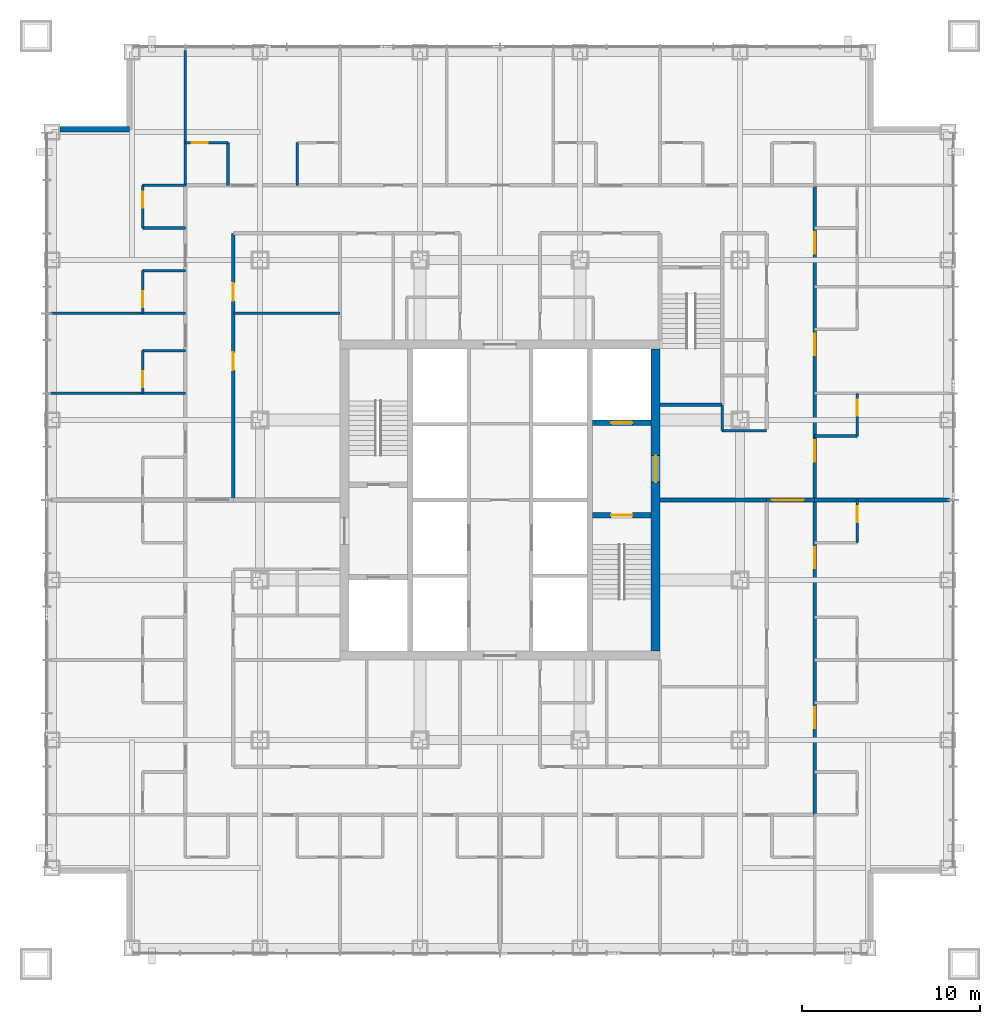
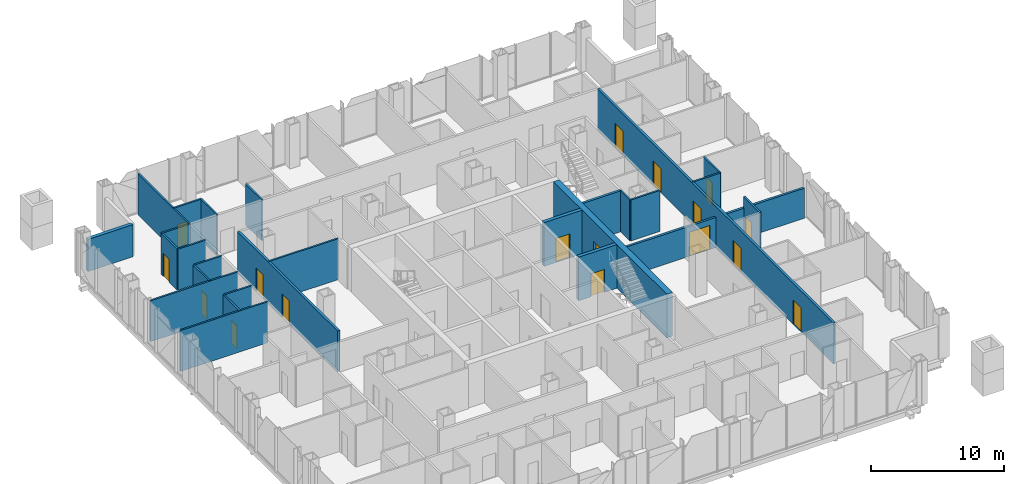
# One storey, part 10 of 23: 29 walls, 17 doors, 17 openings.
"""IFC4 building model written with IfcOpenShell, lengths in metres."""

from ifc_helpers import new_model, si_unit, direction, frame, frame_2d, origin, place, context, subcontext, project, spatial, rectangle, extrude, material, layer, layer_set, type_object, element, fill, save


model = new_model("IFC4")

# Units and contexts
model_context = context("Model", 3, precision=1e-05, world=origin(), true_north=direction((0.0, 1.0)))
body_context = subcontext(model_context, "Body", "Model", "MODEL_VIEW")
ifc_project = project(units=[si_unit("LENGTHUNIT", "METRE"), si_unit("AREAUNIT", "SQUARE_METRE"), si_unit("VOLUMEUNIT", "CUBIC_METRE"), si_unit("PLANEANGLEUNIT", "RADIAN"), si_unit("MASSUNIT", "GRAM", prefix="KILO")], contexts=[model_context])

# Site, building, storey
site_placement = place(None, origin())
site = spatial("IfcSite", under=ifc_project, at=site_placement, CompositionType="ELEMENT")
building_placement = place(site_placement, origin())
building = spatial("IfcBuilding", under=site, at=building_placement, Name="Malebo Sky Hospital", CompositionType="ELEMENT")
storey_placement = place(building_placement, frame((0.0, 0.0, 91.0)))
storey = spatial("IfcBuildingStorey", under=building, at=storey_placement, Name="L21", CompositionType="ELEMENT", Elevation=91.0)

# Wall, opening, door
ifc_material_1 = material(Name="Concrete C80/95", Category="concrete")
ifc_layer_1 = layer(ifc_material_1, 0.300048828125)
ifc_layer_set_1 = layer_set([ifc_layer_1], Name="CORE INNER WALL 300")
wall_type_1 = type_object("IfcWallType", Name="CORE INNER WALL 300", PredefinedType="SHEAR", material=ifc_layer_set_1)
wall_1_placement = place(storey_placement, frame((65.199951171875, 61.14990234375, 0.0), z_axis=(0.0, 0.0, 1.0), x_axis=(1.0, 0.0, 0.0)))
wall_1 = element("IfcWall", 1, at=wall_1_placement, inside=storey, type_object=wall_type_1, Name="Core wall E1 L21", PredefinedType="SHEAR", context=body_context, shape_type="SweptSolid", body=[
    extrude(rectangle(XDim=3.300048828125, YDim=0.300048828125, at=frame_2d((1.64990234375, 0.0))), origin(), (0.0, 0.0, 1.0), 4.0),
])
opening_1_placement = place(wall_1_placement, frame((1.050048828125, 0.0, 0.0)))
opening_1 = element("IfcOpeningElement", 2, at=opening_1_placement, cuts=wall_1, Name="Opening D08", PredefinedType="OPENING", context=body_context, shape_type="SweptSolid", body=[
    extrude(rectangle(XDim=1.199951171875, YDim=2.10009765625, at=frame_2d((0.60009765625, 1.050048828125))), frame((0.0, 0.159912109375, 0.0), z_axis=(0.0, -1.0, 0.0), x_axis=(1.0, 0.0, 0.0)), (0.0, 0.0, 1.0), 0.320068359375),
])
ifc_material_2 = material(Name="Hardwood-faced door leaf in steel frame", Category="steel")
door_type_1 = type_object("IfcDoorType", Name="STAIR DOOR 1200", OperationType="SINGLE_SWING_LEFT", PredefinedType="DOOR", material=ifc_material_2)
door_1_placement = place(opening_1_placement, origin())
door_1 = element("IfcDoor", 3, at=door_1_placement, inside=storey, type_object=door_type_1, Name="Stair S2 door", OperationType="SINGLE_SWING_LEFT", OverallHeight=2.10009765625, OverallWidth=1.199951171875, PredefinedType="DOOR", context=body_context, shape_type="SweptSolid", body=[
    extrude(rectangle(XDim=1.199951171875, YDim=2.10009765625, at=frame_2d((0.60009765625, 1.050048828125))), frame((0.0, 0.02490234375, 0.0), z_axis=(0.0, -1.0, 0.0), x_axis=(1.0, 0.0, 0.0)), (0.0, 0.0, 1.0), 0.050048828125),
])
fill(opening_1, door_1)

wall_2_placement = place(storey_placement, frame((65.199951171875, 66.35009765625, 0.0), z_axis=(0.0, 0.0, 1.0), x_axis=(1.0, 0.0, 0.0)))
wall_2 = element("IfcWall", 4, at=wall_2_placement, inside=storey, type_object=wall_type_1, Name="Core wall E2 L21", PredefinedType="SHEAR", context=body_context, shape_type="SweptSolid", body=[
    extrude(rectangle(XDim=3.300048828125, YDim=0.300048828125, at=frame_2d((1.64990234375, 0.0))), origin(), (0.0, 0.0, 1.0), 4.0),
])
opening_2_placement = place(wall_2_placement, frame((1.050048828125, 0.0, 0.0)))
opening_2 = element("IfcOpeningElement", 5, at=opening_2_placement, cuts=wall_2, Name="Opening LD2", PredefinedType="OPENING", context=body_context, shape_type="SweptSolid", body=[
    extrude(rectangle(XDim=1.199951171875, YDim=2.199951171875, at=frame_2d((0.60009765625, 1.10009765625))), frame((0.0, 0.159912109375, 0.0), z_axis=(0.0, -1.0, 0.0), x_axis=(1.0, 0.0, 0.0)), (0.0, 0.0, 1.0), 0.320068359375),
])
ifc_material_3 = material(Name="Stainless steel sliding landing door", Category="steel")
door_type_2 = type_object("IfcDoorType", Name="FIRE-FIGHTING LIFT LANDING DOOR 1200", OperationType="SLIDING_TO_LEFT", PredefinedType="DOOR", material=ifc_material_3)
door_2_placement = place(opening_2_placement, origin())
door_2 = element("IfcDoor", 6, at=door_2_placement, inside=storey, type_object=door_type_2, Name="Lift FL2 landing door", OperationType="SLIDING_TO_LEFT", OverallHeight=2.199951171875, OverallWidth=1.199951171875, PredefinedType="DOOR", context=body_context, shape_type="SweptSolid", body=[
    extrude(rectangle(XDim=1.199951171875, YDim=2.199951171875, at=frame_2d((0.60009765625, 1.10009765625))), frame((0.0, 0.02490234375, 0.0), z_axis=(0.0, -1.0, 0.0), x_axis=(1.0, 0.0, 0.0)), (0.0, 0.0, 1.0), 0.050048828125),
])
fill(opening_2, door_2)

ifc_layer_2 = layer(ifc_material_1, 0.5)
ifc_layer_set_2 = layer_set([ifc_layer_2], Name="CORE WALL 500")
wall_type_2 = type_object("IfcWallType", Name="CORE WALL 500", PredefinedType="SHEAR", material=ifc_layer_set_2)
wall_3_placement = place(storey_placement, frame((68.75, 53.5, 0.0), z_axis=(0.0, 0.0, 1.0), x_axis=(0.0, 1.0, 0.0)))
wall_3 = element("IfcWall", 7, at=wall_3_placement, inside=storey, type_object=wall_type_2, Name="Core wall E L21", PredefinedType="SHEAR", context=body_context, shape_type="SweptSolid", body=[
    extrude(rectangle(XDim=17.0, YDim=0.5, at=frame_2d((8.5, 0.0))), origin(), (0.0, 0.0, 1.0), 4.0),
])
opening_3_placement = place(wall_3_placement, frame((9.5, 0.0, 0.0)))
opening_3 = element("IfcOpeningElement", 8, at=opening_3_placement, cuts=wall_3, Name="Opening D07", PredefinedType="OPENING", context=body_context, shape_type="SweptSolid", body=[
    extrude(rectangle(XDim=1.5, YDim=2.199951171875, at=frame_2d((0.75, 1.10009765625))), frame((0.0, 0.260009765625, 0.0), z_axis=(0.0, -1.0, 0.0), x_axis=(1.0, 0.0, 0.0)), (0.0, 0.0, 1.0), 0.52001953125),
])
door_type_3 = type_object("IfcDoorType", Name="FIRE-FIGHTING LOBBY DOOR PAIR 1500", OperationType="DOUBLE_DOOR_SINGLE_SWING", PredefinedType="DOOR", material=ifc_material_2)
door_3_placement = place(opening_3_placement, origin())
door_3 = element("IfcDoor", 9, at=door_3_placement, inside=storey, type_object=door_type_3, Name="Fire-fighting lobby door east", OperationType="DOUBLE_DOOR_SINGLE_SWING", OverallHeight=2.199951171875, OverallWidth=1.5, PredefinedType="DOOR", context=body_context, shape_type="SweptSolid", body=[
    extrude(rectangle(XDim=1.5, YDim=2.199951171875, at=frame_2d((0.75, 1.10009765625))), frame((0.0, 0.02490234375, 0.0), z_axis=(0.0, -1.0, 0.0), x_axis=(1.0, 0.0, 0.0)), (0.0, 0.0, 1.0), 0.050048828125),
])
fill(opening_3, door_3)

# Wall, openings, doors
ifc_material_4 = material(Name="Gypsum board on steel studs", Category="steel")
ifc_layer_3 = layer(ifc_material_4, 0.199951171875)
ifc_layer_set_3 = layer_set([ifc_layer_3], Name="CORRIDOR WALL 200")
wall_type_3 = type_object("IfcWallType", Name="CORRIDOR WALL 200", PredefinedType="PARTITIONING", material=ifc_layer_set_3)
wall_4_placement = place(storey_placement, frame((45.0, 62.0, 0.0), z_axis=(0.0, 0.0, 1.0), x_axis=(0.0, 1.0, 0.0)))
wall_4 = element("IfcWall", 10, at=wall_4_placement, inside=storey, type_object=wall_type_3, Name="Corridor Wall 200 WCI2", PredefinedType="PARTITIONING", context=body_context, shape_type="SweptSolid", body=[
    extrude(rectangle(XDim=15.0, YDim=0.199951171875, at=frame_2d((7.5, 0.0))), origin(), (0.0, 0.0, 1.0), 3.75),
])
opening_4_placement = place(wall_4_placement, frame((7.300048828125, 0.0, 0.0)))
opening_4 = element("IfcOpeningElement", 11, at=opening_4_placement, cuts=wall_4, Name="Opening D03", PredefinedType="OPENING", context=body_context, shape_type="SweptSolid", body=[
    extrude(rectangle(XDim=1.0, YDim=2.10009765625, at=frame_2d((0.5, 1.050048828125))), frame((0.0, 0.10986328125, 0.0), z_axis=(0.0, -1.0, 0.0), x_axis=(1.0, 0.0, 0.0)), (0.0, 0.0, 1.0), 0.219970703125),
])
opening_5_placement = place(wall_4_placement, frame((11.199951171875, 0.0, 0.0)))
opening_5 = element("IfcOpeningElement", 12, at=opening_5_placement, cuts=wall_4, Name="Opening D03", PredefinedType="OPENING", context=body_context, shape_type="SweptSolid", body=[
    extrude(rectangle(XDim=1.0, YDim=2.10009765625, at=frame_2d((0.5, 1.050048828125))), frame((0.0, 0.10986328125, 0.0), z_axis=(0.0, -1.0, 0.0), x_axis=(1.0, 0.0, 0.0)), (0.0, 0.0, 1.0), 0.219970703125),
])
door_type_4 = type_object("IfcDoorType", Name="ROOM DOOR 1000", OperationType="SINGLE_SWING_LEFT", PredefinedType="DOOR", material=ifc_material_2)
door_4_placement = place(opening_4_placement, origin())
door_4 = element("IfcDoor", 13, at=door_4_placement, inside=storey, type_object=door_type_4, Name="Nurse station door", OperationType="SINGLE_SWING_RIGHT", OverallHeight=2.10009765625, OverallWidth=1.0, PredefinedType="DOOR", context=body_context, shape_type="SweptSolid", body=[
    extrude(rectangle(XDim=1.0, YDim=2.10009765625, at=frame_2d((0.5, 1.050048828125))), frame((0.0, 0.02490234375, 0.0), z_axis=(0.0, -1.0, 0.0), x_axis=(1.0, 0.0, 0.0)), (0.0, 0.0, 1.0), 0.050048828125),
])
fill(opening_4, door_4)
door_5_placement = place(opening_5_placement, origin())
door_5 = element("IfcDoor", 14, at=door_5_placement, inside=storey, type_object=door_type_4, Name="Interview room door", OperationType="SINGLE_SWING_LEFT", OverallHeight=2.10009765625, OverallWidth=1.0, PredefinedType="DOOR", context=body_context, shape_type="SweptSolid", body=[
    extrude(rectangle(XDim=1.0, YDim=2.10009765625, at=frame_2d((0.5, 1.050048828125))), frame((0.0, 0.02490234375, 0.0), z_axis=(0.0, -1.0, 0.0), x_axis=(1.0, 0.0, 0.0)), (0.0, 0.0, 1.0), 0.050048828125),
])
fill(opening_5, door_5)

wall_5_placement = place(storey_placement, frame((77.699951171875, 79.699951171875, 0.0), z_axis=(0.0, 0.0, 1.0), x_axis=(0.0, -1.0, 0.0)))
wall_5 = element("IfcWall", 15, at=wall_5_placement, inside=storey, type_object=wall_type_3, Name="Corridor Wall 200 ECO", PredefinedType="PARTITIONING", context=body_context, shape_type="SweptSolid", body=[
    extrude(rectangle(XDim=35.39990234375, YDim=0.199951171875, at=frame_2d((17.699951171875, 0.0))), origin(), (0.0, 0.0, 1.0), 3.75),
])
opening_6_placement = place(wall_5_placement, frame((2.64990234375, 0.0, 0.0)))
opening_6 = element("IfcOpeningElement", 16, at=opening_6_placement, cuts=wall_5, Name="Opening D18", PredefinedType="OPENING", context=body_context, shape_type="SweptSolid", body=[
    extrude(rectangle(XDim=1.199951171875, YDim=2.199951171875, at=frame_2d((0.60009765625, 1.10009765625))), frame((0.0, 0.10986328125, 0.0), z_axis=(0.0, -1.0, 0.0), x_axis=(1.0, 0.0, 0.0)), (0.0, 0.0, 1.0), 0.219970703125),
])
opening_7_placement = place(wall_5_placement, frame((8.35009765625, 0.0, 0.0)))
opening_7 = element("IfcOpeningElement", 17, at=opening_7_placement, cuts=wall_5, Name="Opening D01", PredefinedType="OPENING", context=body_context, shape_type="SweptSolid", body=[
    extrude(rectangle(XDim=1.199951171875, YDim=2.199951171875, at=frame_2d((0.60009765625, 1.10009765625))), frame((0.0, 0.10986328125, 0.0), z_axis=(0.0, -1.0, 0.0), x_axis=(1.0, 0.0, 0.0)), (0.0, 0.0, 1.0), 0.219970703125),
])
opening_8_placement = place(wall_5_placement, frame((14.35009765625, 0.0, 0.0)))
opening_8 = element("IfcOpeningElement", 18, at=opening_8_placement, cuts=wall_5, Name="Opening D01", PredefinedType="OPENING", context=body_context, shape_type="SweptSolid", body=[
    extrude(rectangle(XDim=1.199951171875, YDim=2.199951171875, at=frame_2d((0.60009765625, 1.10009765625))), frame((0.0, 0.10986328125, 0.0), z_axis=(0.0, -1.0, 0.0), x_axis=(1.0, 0.0, 0.0)), (0.0, 0.0, 1.0), 0.219970703125),
])
opening_9_placement = place(wall_5_placement, frame((20.35009765625, 0.0, 0.0)))
opening_9 = element("IfcOpeningElement", 19, at=opening_9_placement, cuts=wall_5, Name="Opening D01", PredefinedType="OPENING", context=body_context, shape_type="SweptSolid", body=[
    extrude(rectangle(XDim=1.199951171875, YDim=2.199951171875, at=frame_2d((0.60009765625, 1.10009765625))), frame((0.0, 0.10986328125, 0.0), z_axis=(0.0, -1.0, 0.0), x_axis=(1.0, 0.0, 0.0)), (0.0, 0.0, 1.0), 0.219970703125),
])
opening_10_placement = place(wall_5_placement, frame((29.35009765625, 0.0, 0.0)))
opening_10 = element("IfcOpeningElement", 20, at=opening_10_placement, cuts=wall_5, Name="Opening D01", PredefinedType="OPENING", context=body_context, shape_type="SweptSolid", body=[
    extrude(rectangle(XDim=1.199951171875, YDim=2.199951171875, at=frame_2d((0.60009765625, 1.10009765625))), frame((0.0, 0.10986328125, 0.0), z_axis=(0.0, -1.0, 0.0), x_axis=(1.0, 0.0, 0.0)), (0.0, 0.0, 1.0), 0.219970703125),
])
door_type_5 = type_object("IfcDoorType", Name="ANTEROOM DOOR 1200", OperationType="SINGLE_SWING_LEFT", PredefinedType="DOOR", material=ifc_material_2)
door_6_placement = place(opening_6_placement, origin())
door_6 = element("IfcDoor", 21, at=door_6_placement, inside=storey, type_object=door_type_5, Name="Anteroom door", OperationType="SINGLE_SWING_LEFT", OverallHeight=2.199951171875, OverallWidth=1.199951171875, PredefinedType="DOOR", context=body_context, shape_type="SweptSolid", body=[
    extrude(rectangle(XDim=1.199951171875, YDim=2.199951171875, at=frame_2d((0.60009765625, 1.10009765625))), frame((0.0, 0.02490234375, 0.0), z_axis=(0.0, -1.0, 0.0), x_axis=(1.0, 0.0, 0.0)), (0.0, 0.0, 1.0), 0.050048828125),
])
fill(opening_6, door_6)
door_type_6 = type_object("IfcDoorType", Name="BED DOOR 1200", OperationType="SINGLE_SWING_LEFT", PredefinedType="DOOR", material=ifc_material_2)
door_7_placement = place(opening_7_placement, origin())
door_7 = element("IfcDoor", 22, at=door_7_placement, inside=storey, type_object=door_type_6, Name="Single bed room door", OperationType="SINGLE_SWING_LEFT", OverallHeight=2.199951171875, OverallWidth=1.199951171875, PredefinedType="DOOR", context=body_context, shape_type="SweptSolid", body=[
    extrude(rectangle(XDim=1.199951171875, YDim=2.199951171875, at=frame_2d((0.60009765625, 1.10009765625))), frame((0.0, 0.02490234375, 0.0), z_axis=(0.0, -1.0, 0.0), x_axis=(1.0, 0.0, 0.0)), (0.0, 0.0, 1.0), 0.050048828125),
])
fill(opening_7, door_7)
door_8_placement = place(opening_8_placement, origin())
door_8 = element("IfcDoor", 23, at=door_8_placement, inside=storey, type_object=door_type_6, Name="Single bed room door", OperationType="SINGLE_SWING_LEFT", OverallHeight=2.199951171875, OverallWidth=1.199951171875, PredefinedType="DOOR", context=body_context, shape_type="SweptSolid", body=[
    extrude(rectangle(XDim=1.199951171875, YDim=2.199951171875, at=frame_2d((0.60009765625, 1.10009765625))), frame((0.0, 0.02490234375, 0.0), z_axis=(0.0, -1.0, 0.0), x_axis=(1.0, 0.0, 0.0)), (0.0, 0.0, 1.0), 0.050048828125),
])
fill(opening_8, door_8)
door_9_placement = place(opening_9_placement, origin())
door_9 = element("IfcDoor", 24, at=door_9_placement, inside=storey, type_object=door_type_6, Name="Four-bed bay door", OperationType="SINGLE_SWING_LEFT", OverallHeight=2.199951171875, OverallWidth=1.199951171875, PredefinedType="DOOR", context=body_context, shape_type="SweptSolid", body=[
    extrude(rectangle(XDim=1.199951171875, YDim=2.199951171875, at=frame_2d((0.60009765625, 1.10009765625))), frame((0.0, 0.02490234375, 0.0), z_axis=(0.0, -1.0, 0.0), x_axis=(1.0, 0.0, 0.0)), (0.0, 0.0, 1.0), 0.050048828125),
])
fill(opening_9, door_9)
door_10_placement = place(opening_10_placement, origin())
door_10 = element("IfcDoor", 25, at=door_10_placement, inside=storey, type_object=door_type_6, Name="Four-bed bay door", OperationType="SINGLE_SWING_LEFT", OverallHeight=2.199951171875, OverallWidth=1.199951171875, PredefinedType="DOOR", context=body_context, shape_type="SweptSolid", body=[
    extrude(rectangle(XDim=1.199951171875, YDim=2.199951171875, at=frame_2d((0.60009765625, 1.10009765625))), frame((0.0, 0.02490234375, 0.0), z_axis=(0.0, -1.0, 0.0), x_axis=(1.0, 0.0, 0.0)), (0.0, 0.0, 1.0), 0.050048828125),
])
fill(opening_10, door_10)

# Walls
ifc_material_5 = material(Name="Anodised aluminium rainscreen on steel framing", Category="steel")
ifc_layer_4 = layer(ifc_material_5, 0.300048828125)
ifc_layer_set_4 = layer_set([ifc_layer_4], Name="NOTCH RAINSCREEN WALL 300")
wall_type_4 = type_object("IfcWallType", Name="NOTCH RAINSCREEN WALL 300", PredefinedType="ELEMENTEDWALL", material=ifc_layer_set_4)
wall_6_placement = place(storey_placement, frame((35.25, 82.85009765625, 0.0), z_axis=(0.0, 0.0, 1.0), x_axis=(1.0, 0.0, 0.0)))
element("IfcWall", 26, at=wall_6_placement, inside=storey, type_object=wall_type_4, Name="Notch rainscreen wall W1 L21", PredefinedType="ELEMENTEDWALL", context=body_context, shape_type="SweptSolid", body=[
    extrude(rectangle(XDim=3.89990234375, YDim=0.300048828125, at=frame_2d((1.949951171875, 0.0))), origin(), (0.0, 0.0, 1.0), 2.949951171875),
])
ifc_layer_5 = layer(ifc_material_4, 0.14990234375)
ifc_layer_set_5 = layer_set([ifc_layer_5], Name="PARTITION 150")
wall_type_5 = type_object("IfcWallType", Name="PARTITION 150", PredefinedType="PARTITIONING", material=ifc_layer_set_5)
wall_7_placement = place(storey_placement, frame((42.300048828125, 79.699951171875, 0.0), z_axis=(0.0, 0.0, 1.0), x_axis=(0.0, 1.0, 0.0)))
element("IfcWall", 27, at=wall_7_placement, inside=storey, type_object=wall_type_5, Name="Partition 150 NP0", PredefinedType="PARTITIONING", context=body_context, shape_type="SweptSolid", body=[
    extrude(rectangle(XDim=7.574951171875, YDim=0.14990234375, at=frame_2d((3.78759765625, 0.0))), origin(), (0.0, 0.0, 1.0), 3.75),
])

# Wall, opening, door
wall_8_placement = place(storey_placement, frame((42.300048828125, 82.10009765625, 0.0), z_axis=(0.0, 0.0, 1.0), x_axis=(1.0, 0.0, 0.0)))
wall_8 = element("IfcWall", 28, at=wall_8_placement, inside=storey, type_object=wall_type_5, Name="Partition 150 NE0F", PredefinedType="PARTITIONING", context=body_context, shape_type="SweptSolid", body=[
    extrude(rectangle(XDim=2.39990234375, YDim=0.14990234375, at=frame_2d((1.199951171875, 0.0))), origin(), (0.0, 0.0, 1.0), 3.75),
])
opening_11_placement = place(wall_8_placement, frame((0.35009765625, 0.0, 0.0)))
opening_11 = element("IfcOpeningElement", 29, at=opening_11_placement, cuts=wall_8, Name="Opening D02", PredefinedType="OPENING", context=body_context, shape_type="SweptSolid", body=[
    extrude(rectangle(XDim=0.89990234375, YDim=2.10009765625, at=frame_2d((0.449951171875, 1.050048828125))), frame((0.0, 0.0849609375, 0.0), z_axis=(0.0, -1.0, 0.0), x_axis=(1.0, 0.0, 0.0)), (0.0, 0.0, 1.0), 0.169921875),
])
door_type_7 = type_object("IfcDoorType", Name="EN-SUITE DOOR 900", OperationType="SINGLE_SWING_LEFT", PredefinedType="DOOR", material=ifc_material_2)
door_11_placement = place(opening_11_placement, origin())
door_11 = element("IfcDoor", 30, at=door_11_placement, inside=storey, type_object=door_type_7, Name="En-suite door", OperationType="SINGLE_SWING_LEFT", OverallHeight=2.10009765625, OverallWidth=0.89990234375, PredefinedType="DOOR", context=body_context, shape_type="SweptSolid", body=[
    extrude(rectangle(XDim=0.89990234375, YDim=2.10009765625, at=frame_2d((0.449951171875, 1.050048828125))), frame((0.0, 0.02490234375, 0.0), z_axis=(0.0, -1.0, 0.0), x_axis=(1.0, 0.0, 0.0)), (0.0, 0.0, 1.0), 0.050048828125),
])
fill(opening_11, door_11)

# Walls
for number, where, z_axis, x_axis, name in (
    (31, (44.699951171875, 79.699951171875, 0.0), (0.0, 0.0, 1.0), (0.0, 1.0, 0.0), "Partition 150 NE0S"),
    (32, (48.60009765625, 79.699951171875, 0.0), (0.0, 0.0, 1.0), (0.0, 1.0, 0.0), "Partition 150 NG0S"),
):
    element("IfcWall", number, at=place(storey_placement, frame(where, z_axis=z_axis, x_axis=x_axis)), inside=storey, type_object=wall_type_5, Name=name, PredefinedType="PARTITIONING", context=body_context, shape_type="SweptSolid", body=[
        extrude(rectangle(XDim=2.400146484375, YDim=0.14990234375, at=frame_2d((1.2001953125, 0.0))), origin(), (0.0, 0.0, 1.0), 3.75),
    ])
for number, where, z_axis, x_axis, name in (
    (33, (42.300048828125, 68.0, 0.0), (0.0, 0.0, 1.0), (-1.0, 0.0, 0.0), "Partition 150 WP+6.0"),
    (34, (42.300048828125, 72.5, 0.0), (0.0, 0.0, 1.0), (-1.0, 0.0, 0.0), "Partition 150 WP+10.5"),
):
    element("IfcWall", number, at=place(storey_placement, frame(where, z_axis=z_axis, x_axis=x_axis)), inside=storey, type_object=wall_type_5, Name=name, PredefinedType="PARTITIONING", context=body_context, shape_type="SweptSolid", body=[
        extrude(rectangle(XDim=7.574951171875, YDim=0.14990234375, at=frame_2d((3.78759765625, 0.0))), origin(), (0.0, 0.0, 1.0), 3.75),
    ])

# Wall, opening, door
wall_9_placement = place(storey_placement, frame((39.89990234375, 68.0, 0.0), z_axis=(0.0, 0.0, 1.0), x_axis=(0.0, 1.0, 0.0)))
wall_9 = element("IfcWall", 35, at=wall_9_placement, inside=storey, type_object=wall_type_5, Name="Partition 150 WE3F", PredefinedType="PARTITIONING", context=body_context, shape_type="SweptSolid", body=[
    extrude(rectangle(XDim=2.39990234375, YDim=0.14990234375, at=frame_2d((1.199951171875, 0.0))), origin(), (0.0, 0.0, 1.0), 3.75),
])
opening_12_placement = place(wall_9_placement, frame((0.35009765625, 0.0, 0.0)))
opening_12 = element("IfcOpeningElement", 36, at=opening_12_placement, cuts=wall_9, Name="Opening D02", PredefinedType="OPENING", context=body_context, shape_type="SweptSolid", body=[
    extrude(rectangle(XDim=0.89990234375, YDim=2.10009765625, at=frame_2d((0.449951171875, 1.050048828125))), frame((0.0, 0.0849609375, 0.0), z_axis=(0.0, -1.0, 0.0), x_axis=(1.0, 0.0, 0.0)), (0.0, 0.0, 1.0), 0.169921875),
])
door_12_placement = place(opening_12_placement, origin())
door_12 = element("IfcDoor", 37, at=door_12_placement, inside=storey, type_object=door_type_7, Name="En-suite door", OperationType="SINGLE_SWING_LEFT", OverallHeight=2.10009765625, OverallWidth=0.89990234375, PredefinedType="DOOR", context=body_context, shape_type="SweptSolid", body=[
    extrude(rectangle(XDim=0.89990234375, YDim=2.10009765625, at=frame_2d((0.449951171875, 1.050048828125))), frame((0.0, 0.02490234375, 0.0), z_axis=(0.0, -1.0, 0.0), x_axis=(1.0, 0.0, 0.0)), (0.0, 0.0, 1.0), 0.050048828125),
])
fill(opening_12, door_12)

# Wall
wall_10_placement = place(storey_placement, frame((42.300048828125, 70.39990234375, 0.0), z_axis=(0.0, 0.0, 1.0), x_axis=(-1.0, 0.0, 0.0)))
element("IfcWall", 38, at=wall_10_placement, inside=storey, type_object=wall_type_5, Name="Partition 150 WE3S", PredefinedType="PARTITIONING", context=body_context, shape_type="SweptSolid", body=[
    extrude(rectangle(XDim=2.400146484375, YDim=0.14990234375, at=frame_2d((1.2001953125, 0.0))), origin(), (0.0, 0.0, 1.0), 3.75),
])

# Wall, opening, door
wall_11_placement = place(storey_placement, frame((39.89990234375, 72.5, 0.0), z_axis=(0.0, 0.0, 1.0), x_axis=(0.0, 1.0, 0.0)))
wall_11 = element("IfcWall", 39, at=wall_11_placement, inside=storey, type_object=wall_type_5, Name="Partition 150 WE4F", PredefinedType="PARTITIONING", context=body_context, shape_type="SweptSolid", body=[
    extrude(rectangle(XDim=2.39990234375, YDim=0.14990234375, at=frame_2d((1.199951171875, 0.0))), origin(), (0.0, 0.0, 1.0), 3.75),
])
opening_13_placement = place(wall_11_placement, frame((0.35009765625, 0.0, 0.0)))
opening_13 = element("IfcOpeningElement", 40, at=opening_13_placement, cuts=wall_11, Name="Opening D02", PredefinedType="OPENING", context=body_context, shape_type="SweptSolid", body=[
    extrude(rectangle(XDim=0.89990234375, YDim=2.10009765625, at=frame_2d((0.449951171875, 1.050048828125))), frame((0.0, 0.0849609375, 0.0), z_axis=(0.0, -1.0, 0.0), x_axis=(1.0, 0.0, 0.0)), (0.0, 0.0, 1.0), 0.169921875),
])
door_13_placement = place(opening_13_placement, origin())
door_13 = element("IfcDoor", 41, at=door_13_placement, inside=storey, type_object=door_type_7, Name="En-suite door", OperationType="SINGLE_SWING_LEFT", OverallHeight=2.10009765625, OverallWidth=0.89990234375, PredefinedType="DOOR", context=body_context, shape_type="SweptSolid", body=[
    extrude(rectangle(XDim=0.89990234375, YDim=2.10009765625, at=frame_2d((0.449951171875, 1.050048828125))), frame((0.0, 0.02490234375, 0.0), z_axis=(0.0, -1.0, 0.0), x_axis=(1.0, 0.0, 0.0)), (0.0, 0.0, 1.0), 0.050048828125),
])
fill(opening_13, door_13)

# Wall
wall_12_placement = place(storey_placement, frame((42.300048828125, 74.89990234375, 0.0), z_axis=(0.0, 0.0, 1.0), x_axis=(-1.0, 0.0, 0.0)))
element("IfcWall", 42, at=wall_12_placement, inside=storey, type_object=wall_type_5, Name="Partition 150 WE4S", PredefinedType="PARTITIONING", context=body_context, shape_type="SweptSolid", body=[
    extrude(rectangle(XDim=2.400146484375, YDim=0.14990234375, at=frame_2d((1.2001953125, 0.0))), origin(), (0.0, 0.0, 1.0), 3.75),
])

# Wall, opening, door
wall_13_placement = place(storey_placement, frame((39.89990234375, 77.300048828125, 0.0), z_axis=(0.0, 0.0, 1.0), x_axis=(0.0, 1.0, 0.0)))
wall_13 = element("IfcWall", 43, at=wall_13_placement, inside=storey, type_object=wall_type_5, Name="Partition 150 WG4F", PredefinedType="PARTITIONING", context=body_context, shape_type="SweptSolid", body=[
    extrude(rectangle(XDim=2.39990234375, YDim=0.14990234375, at=frame_2d((1.199951171875, 0.0))), origin(), (0.0, 0.0, 1.0), 3.75),
])
opening_14_placement = place(wall_13_placement, frame((1.14990234375, 0.0, 0.0)))
opening_14 = element("IfcOpeningElement", 44, at=opening_14_placement, cuts=wall_13, Name="Opening D02", PredefinedType="OPENING", context=body_context, shape_type="SweptSolid", body=[
    extrude(rectangle(XDim=0.89990234375, YDim=2.10009765625, at=frame_2d((0.449951171875, 1.050048828125))), frame((0.0, 0.0849609375, 0.0), z_axis=(0.0, -1.0, 0.0), x_axis=(1.0, 0.0, 0.0)), (0.0, 0.0, 1.0), 0.169921875),
])
door_14_placement = place(opening_14_placement, origin())
door_14 = element("IfcDoor", 45, at=door_14_placement, inside=storey, type_object=door_type_7, Name="En-suite door", OperationType="SINGLE_SWING_RIGHT", OverallHeight=2.10009765625, OverallWidth=0.89990234375, PredefinedType="DOOR", context=body_context, shape_type="SweptSolid", body=[
    extrude(rectangle(XDim=0.89990234375, YDim=2.10009765625, at=frame_2d((0.449951171875, 1.050048828125))), frame((0.0, 0.02490234375, 0.0), z_axis=(0.0, -1.0, 0.0), x_axis=(1.0, 0.0, 0.0)), (0.0, 0.0, 1.0), 0.050048828125),
])
fill(opening_14, door_14)

# Walls
for number, where, z_axis, x_axis, name in (
    (46, (42.300048828125, 77.300048828125, 0.0), (0.0, 0.0, 1.0), (-1.0, 0.0, 0.0), "Partition 150 WG4S"),
    (47, (42.300048828125, 79.699951171875, 0.0), (0.0, 0.0, 1.0), (-1.0, 0.0, 0.0), "Partition 150 WEZ"),
):
    element("IfcWall", number, at=place(storey_placement, frame(where, z_axis=z_axis, x_axis=x_axis)), inside=storey, type_object=wall_type_5, Name=name, PredefinedType="PARTITIONING", context=body_context, shape_type="SweptSolid", body=[
        extrude(rectangle(XDim=2.400146484375, YDim=0.14990234375, at=frame_2d((1.2001953125, 0.0))), origin(), (0.0, 0.0, 1.0), 3.75),
    ])
wall_14_placement = place(storey_placement, frame((51.0, 72.5, 0.0), z_axis=(0.0, 0.0, 1.0), x_axis=(-1.0, 0.0, 0.0)))
element("IfcWall", 48, at=wall_14_placement, inside=storey, type_object=wall_type_5, Name="Partition 150 WSP+10.5", PredefinedType="PARTITIONING", context=body_context, shape_type="SweptSolid", body=[
    extrude(rectangle(XDim=6.0, YDim=0.14990234375, at=frame_2d((3.0, 0.0))), origin(), (0.0, 0.0, 1.0), 3.75),
])

# Wall, opening, door
wall_15_placement = place(storey_placement, frame((80.10009765625, 68.0, 0.0), z_axis=(0.0, 0.0, 1.0), x_axis=(0.0, -1.0, 0.0)))
wall_15 = element("IfcWall", 49, at=wall_15_placement, inside=storey, type_object=wall_type_5, Name="Partition 150 EE2F", PredefinedType="PARTITIONING", context=body_context, shape_type="SweptSolid", body=[
    extrude(rectangle(XDim=2.39990234375, YDim=0.14990234375, at=frame_2d((1.199951171875, 0.0))), origin(), (0.0, 0.0, 1.0), 3.75),
])
opening_15_placement = place(wall_15_placement, frame((0.35009765625, 0.0, 0.0)))
opening_15 = element("IfcOpeningElement", 50, at=opening_15_placement, cuts=wall_15, Name="Opening D02", PredefinedType="OPENING", context=body_context, shape_type="SweptSolid", body=[
    extrude(rectangle(XDim=0.89990234375, YDim=2.10009765625, at=frame_2d((0.449951171875, 1.050048828125))), frame((0.0, 0.0849609375, 0.0), z_axis=(0.0, -1.0, 0.0), x_axis=(1.0, 0.0, 0.0)), (0.0, 0.0, 1.0), 0.169921875),
])
door_15_placement = place(opening_15_placement, origin())
door_15 = element("IfcDoor", 51, at=door_15_placement, inside=storey, type_object=door_type_7, Name="En-suite door", OperationType="SINGLE_SWING_LEFT", OverallHeight=2.10009765625, OverallWidth=0.89990234375, PredefinedType="DOOR", context=body_context, shape_type="SweptSolid", body=[
    extrude(rectangle(XDim=0.89990234375, YDim=2.10009765625, at=frame_2d((0.449951171875, 1.050048828125))), frame((0.0, 0.02490234375, 0.0), z_axis=(0.0, -1.0, 0.0), x_axis=(1.0, 0.0, 0.0)), (0.0, 0.0, 1.0), 0.050048828125),
])
fill(opening_15, door_15)

# Wall
wall_16_placement = place(storey_placement, frame((77.699951171875, 65.60009765625, 0.0), z_axis=(0.0, 0.0, 1.0), x_axis=(1.0, 0.0, 0.0)))
element("IfcWall", 52, at=wall_16_placement, inside=storey, type_object=wall_type_5, Name="Partition 150 EE2S", PredefinedType="PARTITIONING", context=body_context, shape_type="SweptSolid", body=[
    extrude(rectangle(XDim=2.400146484375, YDim=0.14990234375, at=frame_2d((1.2001953125, 0.0))), origin(), (0.0, 0.0, 1.0), 3.75),
])

# Wall, opening, door
wall_17_placement = place(storey_placement, frame((80.10009765625, 62.0, 0.0), z_axis=(0.0, 0.0, 1.0), x_axis=(0.0, -1.0, 0.0)))
wall_17 = element("IfcWall", 53, at=wall_17_placement, inside=storey, type_object=wall_type_5, Name="Partition 150 EE3F", PredefinedType="PARTITIONING", context=body_context, shape_type="SweptSolid", body=[
    extrude(rectangle(XDim=2.39990234375, YDim=0.14990234375, at=frame_2d((1.199951171875, 0.0))), origin(), (0.0, 0.0, 1.0), 3.75),
])
opening_16_placement = place(wall_17_placement, frame((0.35009765625, 0.0, 0.0)))
opening_16 = element("IfcOpeningElement", 54, at=opening_16_placement, cuts=wall_17, Name="Opening D02", PredefinedType="OPENING", context=body_context, shape_type="SweptSolid", body=[
    extrude(rectangle(XDim=0.89990234375, YDim=2.10009765625, at=frame_2d((0.449951171875, 1.050048828125))), frame((0.0, 0.0849609375, 0.0), z_axis=(0.0, -1.0, 0.0), x_axis=(1.0, 0.0, 0.0)), (0.0, 0.0, 1.0), 0.169921875),
])
door_16_placement = place(opening_16_placement, origin())
door_16 = element("IfcDoor", 55, at=door_16_placement, inside=storey, type_object=door_type_7, Name="En-suite door", OperationType="SINGLE_SWING_LEFT", OverallHeight=2.10009765625, OverallWidth=0.89990234375, PredefinedType="DOOR", context=body_context, shape_type="SweptSolid", body=[
    extrude(rectangle(XDim=0.89990234375, YDim=2.10009765625, at=frame_2d((0.449951171875, 1.050048828125))), frame((0.0, 0.02490234375, 0.0), z_axis=(0.0, -1.0, 0.0), x_axis=(1.0, 0.0, 0.0)), (0.0, 0.0, 1.0), 0.050048828125),
])
fill(opening_16, door_16)

# Walls
wall_18_placement = place(storey_placement, frame((72.5, 65.89990234375, 0.0), z_axis=(0.0, 0.0, 1.0), x_axis=(1.0, 0.0, 0.0)))
element("IfcWall", 56, at=wall_18_placement, inside=storey, type_object=wall_type_5, Name="Partition 150 ESPA", PredefinedType="PARTITIONING", context=body_context, shape_type="SweptSolid", body=[
    extrude(rectangle(XDim=2.5, YDim=0.14990234375, at=frame_2d((1.25, 0.0))), origin(), (0.0, 0.0, 1.0), 3.75),
])
wall_19_placement = place(storey_placement, frame((72.5, 65.89990234375, 0.0), z_axis=(0.0, 0.0, 1.0), x_axis=(0.0, 1.0, 0.0)))
element("IfcWall", 57, at=wall_19_placement, inside=storey, type_object=wall_type_5, Name="Partition 150 ST3C", PredefinedType="PARTITIONING", context=body_context, shape_type="SweptSolid", body=[
    extrude(rectangle(XDim=1.4501953125, YDim=0.14990234375, at=frame_2d((0.72509765625, 0.0))), origin(), (0.0, 0.0, 1.0), 3.75),
])
ifc_material_6 = material(Name="Concrete blockwork", Category="masonry")
ifc_layer_6 = layer(ifc_material_6, 0.199951171875)
ifc_layer_set_6 = layer_set([ifc_layer_6], Name="SMOKE BARRIER WALL 200")
wall_type_6 = type_object("IfcWallType", Name="SMOKE BARRIER WALL 200", PredefinedType="SOLIDWALL", material=ifc_layer_set_6)
wall_20_placement = place(storey_placement, frame((77.699951171875, 62.0, 0.0), z_axis=(0.0, 0.0, 1.0), x_axis=(1.0, 0.0, 0.0)))
element("IfcWall", 58, at=wall_20_placement, inside=storey, type_object=wall_type_6, Name="Smoke Barrier Wall 200 EP+0.0", PredefinedType="SOLIDWALL", context=body_context, shape_type="SweptSolid", body=[
    extrude(rectangle(XDim=7.574951171875, YDim=0.199951171875, at=frame_2d((3.78759765625, 0.0))), origin(), (0.0, 0.0, 1.0), 2.75),
])
wall_21_placement = place(storey_placement, frame((69.0, 62.0, 0.0), z_axis=(0.0, 0.0, 1.0), x_axis=(1.0, 0.0, 0.0)))
element("IfcWall", 59, at=wall_21_placement, inside=storey, type_object=wall_type_6, Name="Smoke Barrier Wall 200 ESPB", PredefinedType="SOLIDWALL", context=body_context, shape_type="SweptSolid", body=[
    extrude(rectangle(XDim=6.0, YDim=0.199951171875, at=frame_2d((3.0, 0.0))), origin(), (0.0, 0.0, 1.0), 2.75),
])

# Wall, opening, door
wall_22_placement = place(storey_placement, frame((75.0, 62.0, 0.0), z_axis=(0.0, 0.0, 1.0), x_axis=(1.0, 0.0, 0.0)))
wall_22 = element("IfcWall", 60, at=wall_22_placement, inside=storey, type_object=wall_type_6, Name="Smoke Barrier Wall 200 ESB", PredefinedType="SOLIDWALL", context=body_context, shape_type="SweptSolid", body=[
    extrude(rectangle(XDim=2.699951171875, YDim=0.199951171875, at=frame_2d((1.35009765625, 0.0))), origin(), (0.0, 0.0, 1.0), 2.75),
])
opening_17_placement = place(wall_22_placement, frame((0.300048828125, 0.0, 0.0)))
opening_17 = element("IfcOpeningElement", 61, at=opening_17_placement, cuts=wall_22, Name="Opening D05", PredefinedType="OPENING", context=body_context, shape_type="SweptSolid", body=[
    extrude(rectangle(XDim=1.800048828125, YDim=2.199951171875, at=frame_2d((0.89990234375, 1.10009765625))), frame((0.0, 0.10986328125, 0.0), z_axis=(0.0, -1.0, 0.0), x_axis=(1.0, 0.0, 0.0)), (0.0, 0.0, 1.0), 0.219970703125),
])
door_type_8 = type_object("IfcDoorType", Name="SMOKE DOOR PAIR 1800", OperationType="DOUBLE_DOOR_DOUBLE_SWING", PredefinedType="DOOR", material=ifc_material_2)
door_17_placement = place(opening_17_placement, origin())
door_17 = element("IfcDoor", 62, at=door_17_placement, inside=storey, type_object=door_type_8, Name="Smoke compartment door pair", OperationType="DOUBLE_DOOR_DOUBLE_SWING", OverallHeight=2.199951171875, OverallWidth=1.800048828125, PredefinedType="DOOR", context=body_context, shape_type="SweptSolid", body=[
    extrude(rectangle(XDim=1.800048828125, YDim=2.199951171875, at=frame_2d((0.89990234375, 1.10009765625))), frame((0.0, 0.02490234375, 0.0), z_axis=(0.0, -1.0, 0.0), x_axis=(1.0, 0.0, 0.0)), (0.0, 0.0, 1.0), 0.050048828125),
])
fill(opening_17, door_17)

# Wall
ifc_material_7 = material(Name="Concrete C40/50", Category="concrete")
ifc_layer_7 = layer(ifc_material_7, 0.199951171875)
ifc_layer_set_7 = layer_set([ifc_layer_7], Name="STAIR ENCLOSURE WALL 200")
wall_type_7 = type_object("IfcWallType", Name="STAIR ENCLOSURE WALL 200", PredefinedType="SOLIDWALL", material=ifc_layer_set_7)
wall_23_placement = place(storey_placement, frame((69.0, 67.35009765625, 0.0), z_axis=(0.0, 0.0, 1.0), x_axis=(1.0, 0.0, 0.0)))
element("IfcWall", 63, at=wall_23_placement, inside=storey, type_object=wall_type_7, Name="Stair Enclosure Wall 200 ST3S", PredefinedType="SOLIDWALL", context=body_context, shape_type="SweptSolid", body=[
    extrude(rectangle(XDim=3.5, YDim=0.199951171875, at=frame_2d((1.75, 0.0))), origin(), (0.0, 0.0, 1.0), 3.75),
])

save(model, "model.ifc")
